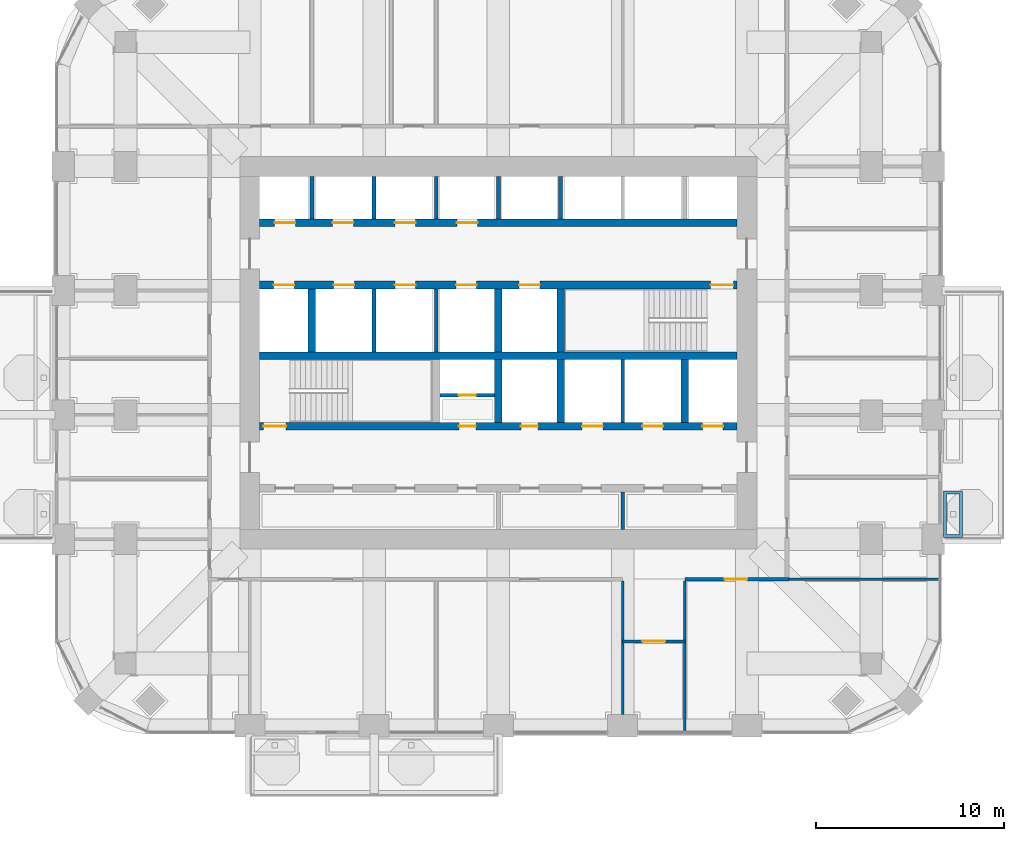
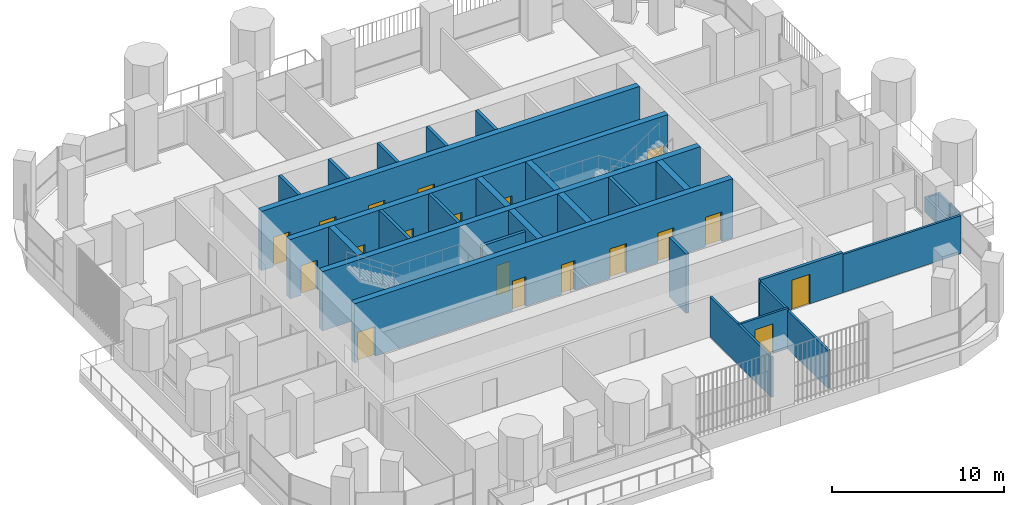
# One storey, part 13 of 20: 26 walls, 19 doors, 19 openings.
"""IFC4 building model written with IfcOpenShell, lengths in metres."""

from ifc_helpers import new_model, si_unit, direction, frame, frame_2d, origin, place, context, subcontext, project, spatial, polyline, rectangle, outline, extrude, material, layer, layer_set, type_object, element, fill, save


model = new_model("IFC4")

# Units and contexts
model_context = context("Model", 3, precision=1e-05, world=origin(), true_north=direction((0.0, 1.0)))
body_context = subcontext(model_context, "Body", "Model", "MODEL_VIEW")
ifc_project = project(units=[si_unit("LENGTHUNIT", "METRE"), si_unit("AREAUNIT", "SQUARE_METRE"), si_unit("VOLUMEUNIT", "CUBIC_METRE"), si_unit("PLANEANGLEUNIT", "RADIAN"), si_unit("MASSUNIT", "GRAM", prefix="KILO")], contexts=[model_context])

# Site, building, storey
site_placement = place(None, origin())
site = spatial("IfcSite", under=ifc_project, at=site_placement, CompositionType="ELEMENT")
building_placement = place(site_placement, origin())
building = spatial("IfcBuilding", under=site, at=building_placement, Name="Cobogo Forest Laboratory Tower", CompositionType="ELEMENT")
storey_placement = place(building_placement, frame((0.0, 0.0, 176.699951171875)))
storey = spatial("IfcBuildingStorey", under=building, at=storey_placement, Name="L40", CompositionType="ELEMENT", Elevation=176.699951171875)

# Wall, openings, doors
ifc_material_1 = material(Name="Concrete HA-50 (C50/60)", Category="concrete")
ifc_layer_1 = layer(ifc_material_1, 0.39990234375)
ifc_layer_set_1 = layer_set([ifc_layer_1], Name="CI400 core inner wall 400")
wall_type_1 = type_object("IfcWallType", Name="CI400 core inner wall 400", PredefinedType="SHEAR", material=ifc_layer_set_1)
wall_1_placement = place(storey_placement, frame((13.72509765625, 19.199951171875, 0.0), z_axis=(0.0, 0.0, 1.0), x_axis=(1.0, 0.0, 0.0)))
wall_1 = element("IfcWall", 1, at=wall_1_placement, inside=storey, type_object=wall_type_1, Name="Core wall CI-19.2 L40", PredefinedType="SHEAR", context=body_context, shape_type="SweptSolid", body=[
    extrude(rectangle(XDim=25.349853515625, YDim=0.39990234375, at=frame_2d((12.6748046875, 0.0))), origin(), (0.0, 0.0, 1.0), 4.199951171875),
])
opening_1_placement = place(wall_1_placement, frame((10.574951171875, 0.0, 0.0)))
opening_1 = element("IfcOpeningElement", 2, at=opening_1_placement, cuts=wall_1, Name="Opening L40-D25", PredefinedType="OPENING", context=body_context, shape_type="SweptSolid", body=[
    extrude(rectangle(XDim=0.89990234375, YDim=2.10009765625, at=frame_2d((0.449951171875, 1.050048828125))), frame((0.0, 0.2099609375, 0.0), z_axis=(0.0, -1.0, 0.0), x_axis=(1.0, 0.0, 0.0)), (0.0, 0.0, 1.0), 0.419921875),
])
opening_2_placement = place(wall_1_placement, frame((13.875, 0.0, 0.0)))
opening_2 = element("IfcOpeningElement", 3, at=opening_2_placement, cuts=wall_1, Name="Opening L40-D26", PredefinedType="OPENING", context=body_context, shape_type="SweptSolid", body=[
    extrude(rectangle(XDim=0.89990234375, YDim=2.10009765625, at=frame_2d((0.449951171875, 1.050048828125))), frame((0.0, 0.2099609375, 0.0), z_axis=(0.0, -1.0, 0.0), x_axis=(1.0, 0.0, 0.0)), (0.0, 0.0, 1.0), 0.419921875),
])
opening_3_placement = place(wall_1_placement, frame((0.199951171875, 0.0, 0.0)))
opening_3 = element("IfcOpeningElement", 4, at=opening_3_placement, cuts=wall_1, Name="Opening L40-D24", PredefinedType="OPENING", context=body_context, shape_type="SweptSolid", body=[
    extrude(rectangle(XDim=1.199951171875, YDim=2.10009765625, at=frame_2d((0.60009765625, 1.050048828125))), frame((0.0, 0.2099609375, 0.0), z_axis=(0.0, -1.0, 0.0), x_axis=(1.0, 0.0, 0.0)), (0.0, 0.0, 1.0), 0.419921875),
])
opening_4_placement = place(wall_1_placement, frame((23.512451171875, 0.0, 0.0)))
opening_4 = element("IfcOpeningElement", 5, at=opening_4_placement, cuts=wall_1, Name="Opening L40-LD-FL2", PredefinedType="OPENING", context=body_context, shape_type="SweptSolid", body=[
    extrude(rectangle(XDim=1.10009765625, YDim=2.10009765625, at=frame_2d((0.550048828125, 1.050048828125))), frame((0.0, 0.2099609375, 0.0), z_axis=(0.0, -1.0, 0.0), x_axis=(1.0, 0.0, 0.0)), (0.0, 0.0, 1.0), 0.419921875),
])
opening_5_placement = place(wall_1_placement, frame((17.125, 0.0, 0.0)))
opening_5 = element("IfcOpeningElement", 6, at=opening_5_placement, cuts=wall_1, Name="Opening L40-LD-LS1", PredefinedType="OPENING", context=body_context, shape_type="SweptSolid", body=[
    extrude(rectangle(XDim=1.10009765625, YDim=2.10009765625, at=frame_2d((0.550048828125, 1.050048828125))), frame((0.0, 0.2099609375, 0.0), z_axis=(0.0, -1.0, 0.0), x_axis=(1.0, 0.0, 0.0)), (0.0, 0.0, 1.0), 0.419921875),
])
opening_6_placement = place(wall_1_placement, frame((20.324951171875, 0.0, 0.0)))
opening_6 = element("IfcOpeningElement", 7, at=opening_6_placement, cuts=wall_1, Name="Opening L40-LD-LS2", PredefinedType="OPENING", context=body_context, shape_type="SweptSolid", body=[
    extrude(rectangle(XDim=1.10009765625, YDim=2.10009765625, at=frame_2d((0.550048828125, 1.050048828125))), frame((0.0, 0.2099609375, 0.0), z_axis=(0.0, -1.0, 0.0), x_axis=(1.0, 0.0, 0.0)), (0.0, 0.0, 1.0), 0.419921875),
])
ifc_material_2 = material(Name="Steel fire door", Category="steel")
door_type_1 = type_object("IfcDoorType", Name="DS1 protected stair door 1200 EI2 60", OperationType="SINGLE_SWING_LEFT", PredefinedType="DOOR", material=ifc_material_2)
door_1_placement = place(opening_3_placement, origin())
door_1 = element("IfcDoor", 8, at=door_1_placement, inside=storey, type_object=door_type_1, Name="Door L40-ST1", OperationType="SINGLE_SWING_LEFT", OverallHeight=2.10009765625, OverallWidth=1.199951171875, PredefinedType="DOOR", context=body_context, shape_type="SweptSolid", body=[
    extrude(rectangle(XDim=1.199951171875, YDim=2.10009765625, at=frame_2d((0.60009765625, 1.050048828125))), frame((0.0, 0.02490234375, 0.0), z_axis=(0.0, -1.0, 0.0), x_axis=(1.0, 0.0, 0.0)), (0.0, 0.0, 1.0), 0.050048828125),
])
fill(opening_3, door_1)
door_type_2 = type_object("IfcDoorType", Name="FD4 riser access door 900 EI2 60", OperationType="SINGLE_SWING_LEFT", PredefinedType="DOOR", material=ifc_material_2)
door_2_placement = place(opening_1_placement, origin())
door_2 = element("IfcDoor", 9, at=door_2_placement, inside=storey, type_object=door_type_2, Name="Door L40-R1V", OperationType="SINGLE_SWING_LEFT", OverallHeight=2.10009765625, OverallWidth=0.89990234375, PredefinedType="DOOR", context=body_context, shape_type="SweptSolid", body=[
    extrude(rectangle(XDim=0.89990234375, YDim=2.10009765625, at=frame_2d((0.449951171875, 1.050048828125))), frame((0.0, 0.02490234375, 0.0), z_axis=(0.0, -1.0, 0.0), x_axis=(1.0, 0.0, 0.0)), (0.0, 0.0, 1.0), 0.050048828125),
])
fill(opening_1, door_2)
door_3_placement = place(opening_2_placement, origin())
door_3 = element("IfcDoor", 10, at=door_3_placement, inside=storey, type_object=door_type_2, Name="Door L40-R2", OperationType="SINGLE_SWING_RIGHT", OverallHeight=2.10009765625, OverallWidth=0.89990234375, PredefinedType="DOOR", context=body_context, shape_type="SweptSolid", body=[
    extrude(rectangle(XDim=0.89990234375, YDim=2.10009765625, at=frame_2d((0.449951171875, 1.050048828125))), frame((0.0, 0.02490234375, 0.0), z_axis=(0.0, -1.0, 0.0), x_axis=(1.0, 0.0, 0.0)), (0.0, 0.0, 1.0), 0.050048828125),
])
fill(opening_2, door_3)
ifc_material_3 = material(Name="Stainless steel lift door", Category="steel")
door_type_3 = type_object("IfcDoorType", Name="LD lift landing door 1100", OperationType="DOUBLE_DOOR_SLIDING", PredefinedType="DOOR", material=ifc_material_3)
door_4_placement = place(opening_4_placement, origin())
door_4 = element("IfcDoor", 11, at=door_4_placement, inside=storey, type_object=door_type_3, Name="Lift landing door FL2 L40", OperationType="DOUBLE_DOOR_SLIDING", OverallHeight=2.10009765625, OverallWidth=1.10009765625, PredefinedType="DOOR", context=body_context, shape_type="SweptSolid", body=[
    extrude(rectangle(XDim=1.10009765625, YDim=2.10009765625, at=frame_2d((0.550048828125, 1.050048828125))), frame((0.0, 0.02490234375, 0.0), z_axis=(0.0, -1.0, 0.0), x_axis=(1.0, 0.0, 0.0)), (0.0, 0.0, 1.0), 0.050048828125),
])
fill(opening_4, door_4)
door_5_placement = place(opening_5_placement, origin())
door_5 = element("IfcDoor", 12, at=door_5_placement, inside=storey, type_object=door_type_3, Name="Lift landing door LS1 L40", OperationType="DOUBLE_DOOR_SLIDING", OverallHeight=2.10009765625, OverallWidth=1.10009765625, PredefinedType="DOOR", context=body_context, shape_type="SweptSolid", body=[
    extrude(rectangle(XDim=1.10009765625, YDim=2.10009765625, at=frame_2d((0.550048828125, 1.050048828125))), frame((0.0, 0.02490234375, 0.0), z_axis=(0.0, -1.0, 0.0), x_axis=(1.0, 0.0, 0.0)), (0.0, 0.0, 1.0), 0.050048828125),
])
fill(opening_5, door_5)
door_6_placement = place(opening_6_placement, origin())
door_6 = element("IfcDoor", 13, at=door_6_placement, inside=storey, type_object=door_type_3, Name="Lift landing door LS2 L40", OperationType="DOUBLE_DOOR_SLIDING", OverallHeight=2.10009765625, OverallWidth=1.10009765625, PredefinedType="DOOR", context=body_context, shape_type="SweptSolid", body=[
    extrude(rectangle(XDim=1.10009765625, YDim=2.10009765625, at=frame_2d((0.550048828125, 1.050048828125))), frame((0.0, 0.02490234375, 0.0), z_axis=(0.0, -1.0, 0.0), x_axis=(1.0, 0.0, 0.0)), (0.0, 0.0, 1.0), 0.050048828125),
])
fill(opening_6, door_6)

# Wall
wall_2_placement = place(storey_placement, frame((13.72509765625, 22.949951171875, 0.0), z_axis=(0.0, 0.0, 1.0), x_axis=(1.0, 0.0, 0.0)))
element("IfcWall", 14, at=wall_2_placement, inside=storey, type_object=wall_type_1, Name="Core wall CI-22.95 L40", PredefinedType="SHEAR", context=body_context, shape_type="SweptSolid", body=[
    extrude(rectangle(XDim=25.349853515625, YDim=0.39990234375, at=frame_2d((12.6748046875, 0.0))), origin(), (0.0, 0.0, 1.0), 4.199951171875),
])

# Wall, openings, doors
wall_3_placement = place(storey_placement, frame((13.72509765625, 26.699951171875, 0.0), z_axis=(0.0, 0.0, 1.0), x_axis=(1.0, 0.0, 0.0)))
wall_3 = element("IfcWall", 15, at=wall_3_placement, inside=storey, type_object=wall_type_1, Name="Core wall CI-26.7 L40", PredefinedType="SHEAR", context=body_context, shape_type="SweptSolid", body=[
    extrude(rectangle(XDim=25.349853515625, YDim=0.39990234375, at=frame_2d((12.6748046875, 0.0))), origin(), (0.0, 0.0, 1.0), 4.199951171875),
])
opening_7_placement = place(wall_3_placement, frame((23.949951171875, 0.0, 0.0)))
opening_7 = element("IfcOpeningElement", 16, at=opening_7_placement, cuts=wall_3, Name="Opening L40-D32", PredefinedType="OPENING", context=body_context, shape_type="SweptSolid", body=[
    extrude(rectangle(XDim=1.199951171875, YDim=2.10009765625, at=frame_2d((0.60009765625, 1.050048828125))), frame((0.0, 0.2099609375, 0.0), z_axis=(0.0, -1.0, 0.0), x_axis=(1.0, 0.0, 0.0)), (0.0, 0.0, 1.0), 0.419921875),
])
opening_8_placement = place(wall_3_placement, frame((0.737548828125, 0.0, 0.0)))
opening_8 = element("IfcOpeningElement", 17, at=opening_8_placement, cuts=wall_3, Name="Opening L40-LD-FL1", PredefinedType="OPENING", context=body_context, shape_type="SweptSolid", body=[
    extrude(rectangle(XDim=1.10009765625, YDim=2.10009765625, at=frame_2d((0.550048828125, 1.050048828125))), frame((0.0, 0.2099609375, 0.0), z_axis=(0.0, -1.0, 0.0), x_axis=(1.0, 0.0, 0.0)), (0.0, 0.0, 1.0), 0.419921875),
])
opening_9_placement = place(wall_3_placement, frame((3.925048828125, 0.0, 0.0)))
opening_9 = element("IfcOpeningElement", 18, at=opening_9_placement, cuts=wall_3, Name="Opening L40-LD-LS3", PredefinedType="OPENING", context=body_context, shape_type="SweptSolid", body=[
    extrude(rectangle(XDim=1.10009765625, YDim=2.10009765625, at=frame_2d((0.550048828125, 1.050048828125))), frame((0.0, 0.2099609375, 0.0), z_axis=(0.0, -1.0, 0.0), x_axis=(1.0, 0.0, 0.0)), (0.0, 0.0, 1.0), 0.419921875),
])
opening_10_placement = place(wall_3_placement, frame((7.175048828125, 0.0, 0.0)))
opening_10 = element("IfcOpeningElement", 19, at=opening_10_placement, cuts=wall_3, Name="Opening L40-LD-LS4", PredefinedType="OPENING", context=body_context, shape_type="SweptSolid", body=[
    extrude(rectangle(XDim=1.10009765625, YDim=2.10009765625, at=frame_2d((0.550048828125, 1.050048828125))), frame((0.0, 0.2099609375, 0.0), z_axis=(0.0, -1.0, 0.0), x_axis=(1.0, 0.0, 0.0)), (0.0, 0.0, 1.0), 0.419921875),
])
opening_11_placement = place(wall_3_placement, frame((10.425048828125, 0.0, 0.0)))
opening_11 = element("IfcOpeningElement", 20, at=opening_11_placement, cuts=wall_3, Name="Opening L40-LD-LS5", PredefinedType="OPENING", context=body_context, shape_type="SweptSolid", body=[
    extrude(rectangle(XDim=1.10009765625, YDim=2.10009765625, at=frame_2d((0.550048828125, 1.050048828125))), frame((0.0, 0.2099609375, 0.0), z_axis=(0.0, -1.0, 0.0), x_axis=(1.0, 0.0, 0.0)), (0.0, 0.0, 1.0), 0.419921875),
])
opening_12_placement = place(wall_3_placement, frame((13.77490234375, 0.0, 0.0)))
opening_12 = element("IfcOpeningElement", 21, at=opening_12_placement, cuts=wall_3, Name="Opening L40-LD-LS6", PredefinedType="OPENING", context=body_context, shape_type="SweptSolid", body=[
    extrude(rectangle(XDim=1.10009765625, YDim=2.10009765625, at=frame_2d((0.550048828125, 1.050048828125))), frame((0.0, 0.2099609375, 0.0), z_axis=(0.0, -1.0, 0.0), x_axis=(1.0, 0.0, 0.0)), (0.0, 0.0, 1.0), 0.419921875),
])
door_7_placement = place(opening_7_placement, origin())
door_7 = element("IfcDoor", 22, at=door_7_placement, inside=storey, type_object=door_type_1, Name="Door L40-ST2", OperationType="SINGLE_SWING_RIGHT", OverallHeight=2.10009765625, OverallWidth=1.199951171875, PredefinedType="DOOR", context=body_context, shape_type="SweptSolid", body=[
    extrude(rectangle(XDim=1.199951171875, YDim=2.10009765625, at=frame_2d((0.60009765625, 1.050048828125))), frame((0.0, 0.02490234375, 0.0), z_axis=(0.0, -1.0, 0.0), x_axis=(1.0, 0.0, 0.0)), (0.0, 0.0, 1.0), 0.050048828125),
])
fill(opening_7, door_7)
door_8_placement = place(opening_8_placement, origin())
door_8 = element("IfcDoor", 23, at=door_8_placement, inside=storey, type_object=door_type_3, Name="Lift landing door FL1 L40", OperationType="DOUBLE_DOOR_SLIDING", OverallHeight=2.10009765625, OverallWidth=1.10009765625, PredefinedType="DOOR", context=body_context, shape_type="SweptSolid", body=[
    extrude(rectangle(XDim=1.10009765625, YDim=2.10009765625, at=frame_2d((0.550048828125, 1.050048828125))), frame((0.0, 0.02490234375, 0.0), z_axis=(0.0, -1.0, 0.0), x_axis=(1.0, 0.0, 0.0)), (0.0, 0.0, 1.0), 0.050048828125),
])
fill(opening_8, door_8)
door_9_placement = place(opening_9_placement, origin())
door_9 = element("IfcDoor", 24, at=door_9_placement, inside=storey, type_object=door_type_3, Name="Lift landing door LS3 L40", OperationType="DOUBLE_DOOR_SLIDING", OverallHeight=2.10009765625, OverallWidth=1.10009765625, PredefinedType="DOOR", context=body_context, shape_type="SweptSolid", body=[
    extrude(rectangle(XDim=1.10009765625, YDim=2.10009765625, at=frame_2d((0.550048828125, 1.050048828125))), frame((0.0, 0.02490234375, 0.0), z_axis=(0.0, -1.0, 0.0), x_axis=(1.0, 0.0, 0.0)), (0.0, 0.0, 1.0), 0.050048828125),
])
fill(opening_9, door_9)
door_10_placement = place(opening_10_placement, origin())
door_10 = element("IfcDoor", 25, at=door_10_placement, inside=storey, type_object=door_type_3, Name="Lift landing door LS4 L40", OperationType="DOUBLE_DOOR_SLIDING", OverallHeight=2.10009765625, OverallWidth=1.10009765625, PredefinedType="DOOR", context=body_context, shape_type="SweptSolid", body=[
    extrude(rectangle(XDim=1.10009765625, YDim=2.10009765625, at=frame_2d((0.550048828125, 1.050048828125))), frame((0.0, 0.02490234375, 0.0), z_axis=(0.0, -1.0, 0.0), x_axis=(1.0, 0.0, 0.0)), (0.0, 0.0, 1.0), 0.050048828125),
])
fill(opening_10, door_10)
door_11_placement = place(opening_11_placement, origin())
door_11 = element("IfcDoor", 26, at=door_11_placement, inside=storey, type_object=door_type_3, Name="Lift landing door LS5 L40", OperationType="DOUBLE_DOOR_SLIDING", OverallHeight=2.10009765625, OverallWidth=1.10009765625, PredefinedType="DOOR", context=body_context, shape_type="SweptSolid", body=[
    extrude(rectangle(XDim=1.10009765625, YDim=2.10009765625, at=frame_2d((0.550048828125, 1.050048828125))), frame((0.0, 0.02490234375, 0.0), z_axis=(0.0, -1.0, 0.0), x_axis=(1.0, 0.0, 0.0)), (0.0, 0.0, 1.0), 0.050048828125),
])
fill(opening_11, door_11)
door_12_placement = place(opening_12_placement, origin())
door_12 = element("IfcDoor", 27, at=door_12_placement, inside=storey, type_object=door_type_3, Name="Lift landing door LS6 L40", OperationType="DOUBLE_DOOR_SLIDING", OverallHeight=2.10009765625, OverallWidth=1.10009765625, PredefinedType="DOOR", context=body_context, shape_type="SweptSolid", body=[
    extrude(rectangle(XDim=1.10009765625, YDim=2.10009765625, at=frame_2d((0.550048828125, 1.050048828125))), frame((0.0, 0.02490234375, 0.0), z_axis=(0.0, -1.0, 0.0), x_axis=(1.0, 0.0, 0.0)), (0.0, 0.0, 1.0), 0.050048828125),
])
fill(opening_12, door_12)

wall_4_placement = place(storey_placement, frame((13.72509765625, 30.0, 0.0), z_axis=(0.0, 0.0, 1.0), x_axis=(1.0, 0.0, 0.0)))
wall_4 = element("IfcWall", 28, at=wall_4_placement, inside=storey, type_object=wall_type_1, Name="Core wall CI-30.0 L40", PredefinedType="SHEAR", context=body_context, shape_type="SweptSolid", body=[
    extrude(rectangle(XDim=25.349853515625, YDim=0.39990234375, at=frame_2d((12.6748046875, 0.0))), origin(), (0.0, 0.0, 1.0), 4.199951171875),
])
opening_13_placement = place(wall_4_placement, frame((0.78759765625, 0.0, 0.0)))
opening_13 = element("IfcOpeningElement", 29, at=opening_13_placement, cuts=wall_4, Name="Opening L40-LD-LC1", PredefinedType="OPENING", context=body_context, shape_type="SweptSolid", body=[
    extrude(rectangle(XDim=1.10009765625, YDim=2.10009765625, at=frame_2d((0.550048828125, 1.050048828125))), frame((0.0, 0.2099609375, 0.0), z_axis=(0.0, -1.0, 0.0), x_axis=(1.0, 0.0, 0.0)), (0.0, 0.0, 1.0), 0.419921875),
])
opening_14_placement = place(wall_4_placement, frame((3.875, 0.0, 0.0)))
opening_14 = element("IfcOpeningElement", 30, at=opening_14_placement, cuts=wall_4, Name="Opening L40-LD-LC2", PredefinedType="OPENING", context=body_context, shape_type="SweptSolid", body=[
    extrude(rectangle(XDim=1.10009765625, YDim=2.10009765625, at=frame_2d((0.550048828125, 1.050048828125))), frame((0.0, 0.2099609375, 0.0), z_axis=(0.0, -1.0, 0.0), x_axis=(1.0, 0.0, 0.0)), (0.0, 0.0, 1.0), 0.419921875),
])
opening_15_placement = place(wall_4_placement, frame((7.175048828125, 0.0, 0.0)))
opening_15 = element("IfcOpeningElement", 31, at=opening_15_placement, cuts=wall_4, Name="Opening L40-LD-LC3", PredefinedType="OPENING", context=body_context, shape_type="SweptSolid", body=[
    extrude(rectangle(XDim=1.10009765625, YDim=2.10009765625, at=frame_2d((0.550048828125, 1.050048828125))), frame((0.0, 0.2099609375, 0.0), z_axis=(0.0, -1.0, 0.0), x_axis=(1.0, 0.0, 0.0)), (0.0, 0.0, 1.0), 0.419921875),
])
opening_16_placement = place(wall_4_placement, frame((10.47509765625, 0.0, 0.0)))
opening_16 = element("IfcOpeningElement", 32, at=opening_16_placement, cuts=wall_4, Name="Opening L40-LD-LC4", PredefinedType="OPENING", context=body_context, shape_type="SweptSolid", body=[
    extrude(rectangle(XDim=1.10009765625, YDim=2.10009765625, at=frame_2d((0.550048828125, 1.050048828125))), frame((0.0, 0.2099609375, 0.0), z_axis=(0.0, -1.0, 0.0), x_axis=(1.0, 0.0, 0.0)), (0.0, 0.0, 1.0), 0.419921875),
])
door_13_placement = place(opening_13_placement, origin())
door_13 = element("IfcDoor", 33, at=door_13_placement, inside=storey, type_object=door_type_3, Name="Lift landing door LC1 L40", OperationType="DOUBLE_DOOR_SLIDING", OverallHeight=2.10009765625, OverallWidth=1.10009765625, PredefinedType="DOOR", context=body_context, shape_type="SweptSolid", body=[
    extrude(rectangle(XDim=1.10009765625, YDim=2.10009765625, at=frame_2d((0.550048828125, 1.050048828125))), frame((0.0, 0.02490234375, 0.0), z_axis=(0.0, -1.0, 0.0), x_axis=(1.0, 0.0, 0.0)), (0.0, 0.0, 1.0), 0.050048828125),
])
fill(opening_13, door_13)
door_14_placement = place(opening_14_placement, origin())
door_14 = element("IfcDoor", 34, at=door_14_placement, inside=storey, type_object=door_type_3, Name="Lift landing door LC2 L40", OperationType="DOUBLE_DOOR_SLIDING", OverallHeight=2.10009765625, OverallWidth=1.10009765625, PredefinedType="DOOR", context=body_context, shape_type="SweptSolid", body=[
    extrude(rectangle(XDim=1.10009765625, YDim=2.10009765625, at=frame_2d((0.550048828125, 1.050048828125))), frame((0.0, 0.02490234375, 0.0), z_axis=(0.0, -1.0, 0.0), x_axis=(1.0, 0.0, 0.0)), (0.0, 0.0, 1.0), 0.050048828125),
])
fill(opening_14, door_14)
door_15_placement = place(opening_15_placement, origin())
door_15 = element("IfcDoor", 35, at=door_15_placement, inside=storey, type_object=door_type_3, Name="Lift landing door LC3 L40", OperationType="DOUBLE_DOOR_SLIDING", OverallHeight=2.10009765625, OverallWidth=1.10009765625, PredefinedType="DOOR", context=body_context, shape_type="SweptSolid", body=[
    extrude(rectangle(XDim=1.10009765625, YDim=2.10009765625, at=frame_2d((0.550048828125, 1.050048828125))), frame((0.0, 0.02490234375, 0.0), z_axis=(0.0, -1.0, 0.0), x_axis=(1.0, 0.0, 0.0)), (0.0, 0.0, 1.0), 0.050048828125),
])
fill(opening_15, door_15)
door_16_placement = place(opening_16_placement, origin())
door_16 = element("IfcDoor", 36, at=door_16_placement, inside=storey, type_object=door_type_3, Name="Lift landing door LC4 L40", OperationType="DOUBLE_DOOR_SLIDING", OverallHeight=2.10009765625, OverallWidth=1.10009765625, PredefinedType="DOOR", context=body_context, shape_type="SweptSolid", body=[
    extrude(rectangle(XDim=1.10009765625, YDim=2.10009765625, at=frame_2d((0.550048828125, 1.050048828125))), frame((0.0, 0.02490234375, 0.0), z_axis=(0.0, -1.0, 0.0), x_axis=(1.0, 0.0, 0.0)), (0.0, 0.0, 1.0), 0.050048828125),
])
fill(opening_16, door_16)

# Walls
for number, where, z_axis, x_axis, name in (
    (37, (26.39990234375, 19.39990234375, 0.0), (0.0, 0.0, 1.0), (0.0, 1.0, 0.0), "Core wall CX-26.4S L40"),
    (38, (29.699951171875, 19.39990234375, 0.0), (0.0, 0.0, 1.0), (0.0, 1.0, 0.0), "Core wall CX-29.7S L40"),
    (39, (36.300048828125, 19.39990234375, 0.0), (0.0, 0.0, 1.0), (0.0, 1.0, 0.0), "Core wall CX-36.3 L40"),
    (40, (16.5, 23.14990234375, 0.0), (0.0, 0.0, 1.0), (0.0, 1.0, 0.0), "Core wall CX-16.5 L40"),
    (41, (26.39990234375, 23.14990234375, 0.0), (0.0, 0.0, 1.0), (0.0, 1.0, 0.0), "Core wall CX-26.4N L40"),
    (42, (29.699951171875, 23.14990234375, 0.0), (0.0, 0.0, 1.0), (0.0, 1.0, 0.0), "Core wall CX-29.7N L40"),
):
    element("IfcWall", number, at=place(storey_placement, frame(where, z_axis=z_axis, x_axis=x_axis)), inside=storey, type_object=wall_type_1, Name=name, PredefinedType="SHEAR", context=body_context, shape_type="SweptSolid", body=[
        extrude(rectangle(XDim=3.35009765625, YDim=0.39990234375, at=frame_2d((1.675048828125, 0.0))), origin(), (0.0, 0.0, 1.0), 4.199951171875),
    ])
ifc_material_4 = material(Name="Gypsum board on steel studs", Category="steel")
ifc_layer_2 = layer(ifc_material_4, 0.14990234375)
ifc_layer_set_2 = layer_set([ifc_layer_2], Name="PT1 laboratory partition 150")
wall_type_2 = type_object("IfcWallType", Name="PT1 laboratory partition 150", PredefinedType="PARTITIONING", material=ifc_layer_set_2)
wall_5_placement = place(storey_placement, frame((49.77001953125, 11.074951171875, 0.0), z_axis=(0.0, 0.0, 1.0), x_axis=(-1.0, 0.0, 0.0)))
element("IfcWall", 43, at=wall_5_placement, inside=storey, type_object=wall_type_2, Name="Partition PW-SE L40", PredefinedType="PARTITIONING", context=body_context, shape_type="SweptSolid", body=[
    extrude(rectangle(XDim=7.945068359375, YDim=0.14990234375, at=frame_2d((3.97265625, 0.0))), origin(), (0.0, 0.0, 1.0), 2.699951171875),
])

# Wall, opening, door
wall_6_placement = place(storey_placement, frame((33.0, 7.77490234375, 0.0), z_axis=(0.0, 0.0, 1.0), x_axis=(1.0, 0.0, 0.0)))
wall_6 = element("IfcWall", 44, at=wall_6_placement, inside=storey, type_object=wall_type_2, Name="Partition NODE-S-1 L40", PredefinedType="PARTITIONING", context=body_context, shape_type="SweptSolid", body=[
    extrude(rectangle(XDim=3.300048828125, YDim=0.14990234375, at=frame_2d((1.64990234375, 0.0))), origin(), (0.0, 0.0, 1.0), 2.85009765625),
])
opening_17_placement = place(wall_6_placement, frame((1.050048828125, 0.0, 0.0)))
opening_17 = element("IfcOpeningElement", 45, at=opening_17_placement, cuts=wall_6, Name="Opening L40-D02", PredefinedType="OPENING", context=body_context, shape_type="SweptSolid", body=[
    extrude(rectangle(XDim=1.199951171875, YDim=2.10009765625, at=frame_2d((0.60009765625, 1.050048828125))), frame((0.0, 0.0849609375, 0.0), z_axis=(0.0, -1.0, 0.0), x_axis=(1.0, 0.0, 0.0)), (0.0, 0.0, 1.0), 0.169921875),
])
ifc_material_5 = material(Name="Timber door", Category="wood")
door_type_4 = type_object("IfcDoorType", Name="D2 laboratory door 1200 unequal pair", OperationType="DOUBLE_DOOR_SINGLE_SWING", PredefinedType="DOOR", material=ifc_material_5)
door_17_placement = place(opening_17_placement, origin())
door_17 = element("IfcDoor", 46, at=door_17_placement, inside=storey, type_object=door_type_4, Name="Door L40-S4", OperationType="DOUBLE_DOOR_SINGLE_SWING", OverallHeight=2.10009765625, OverallWidth=1.199951171875, PredefinedType="DOOR", context=body_context, shape_type="SweptSolid", body=[
    extrude(rectangle(XDim=1.199951171875, YDim=2.10009765625, at=frame_2d((0.60009765625, 1.050048828125))), frame((0.0, 0.02490234375, 0.0), z_axis=(0.0, -1.0, 0.0), x_axis=(1.0, 0.0, 0.0)), (0.0, 0.0, 1.0), 0.050048828125),
])
fill(opening_17, door_17)

# Walls
wall_7_placement = place(storey_placement, frame((33.0, 3.89990234375, 0.0), z_axis=(0.0, 0.0, 1.0), x_axis=(0.0, 1.0, 0.0)))
element("IfcWall", 47, at=wall_7_placement, inside=storey, type_object=wall_type_2, Name="Partition CUT-S33-1 L40", PredefinedType="PARTITIONING", context=body_context, shape_type="SweptSolid", body=[
    extrude(rectangle(XDim=7.0751953125, YDim=0.14990234375, at=frame_2d((3.53759765625, 0.0))), origin(), (0.0, 0.0, 1.0), 2.85009765625),
])
wall_8_placement = place(storey_placement, frame((36.300048828125, 3.030029296875, 0.0), z_axis=(0.0, 0.0, 1.0), x_axis=(0.0, 1.0, 0.0)))
element("IfcWall", 48, at=wall_8_placement, inside=storey, type_object=wall_type_2, Name="Partition CUT-S36.3-1 L40", PredefinedType="PARTITIONING", context=body_context, shape_type="SweptSolid", body=[
    extrude(rectangle(XDim=7.945068359375, YDim=0.14990234375, at=frame_2d((3.97265625, 0.0))), origin(), (0.0, 0.0, 1.0), 2.699951171875),
])

# Wall, opening, door
ifc_layer_3 = layer(ifc_material_4, 0.199951171875)
ifc_layer_set_3 = layer_set([ifc_layer_3], Name="PT2 fire-rated corridor partition 200")
wall_type_3 = type_object("IfcWallType", Name="PT2 fire-rated corridor partition 200", PredefinedType="PARTITIONING", material=ifc_layer_set_3)
wall_9_placement = place(storey_placement, frame((36.300048828125, 11.074951171875, 0.0), z_axis=(0.0, 0.0, 1.0), x_axis=(1.0, 0.0, 0.0)))
wall_9 = element("IfcWall", 49, at=wall_9_placement, inside=storey, type_object=wall_type_3, Name="Partition CORR-S-2 L40", PredefinedType="PARTITIONING", context=body_context, shape_type="SweptSolid", body=[
    extrude(rectangle(XDim=5.52490234375, YDim=0.199951171875, at=frame_2d((2.762451171875, 0.0))), origin(), (0.0, 0.0, 1.0), 2.85009765625),
])
opening_18_placement = place(wall_9_placement, frame((2.112548828125, 0.0, 0.0)))
opening_18 = element("IfcOpeningElement", 50, at=opening_18_placement, cuts=wall_9, Name="Opening L40-D06", PredefinedType="OPENING", context=body_context, shape_type="SweptSolid", body=[
    extrude(rectangle(XDim=1.199951171875, YDim=2.10009765625, at=frame_2d((0.60009765625, 1.050048828125))), frame((0.0, 0.10986328125, 0.0), z_axis=(0.0, -1.0, 0.0), x_axis=(1.0, 0.0, 0.0)), (0.0, 0.0, 1.0), 0.219970703125),
])
door_18_placement = place(opening_18_placement, origin())
door_18 = element("IfcDoor", 51, at=door_18_placement, inside=storey, type_object=door_type_4, Name="Door L40-S5", OperationType="DOUBLE_DOOR_SINGLE_SWING", OverallHeight=2.10009765625, OverallWidth=1.199951171875, PredefinedType="DOOR", context=body_context, shape_type="SweptSolid", body=[
    extrude(rectangle(XDim=1.199951171875, YDim=2.10009765625, at=frame_2d((0.60009765625, 1.050048828125))), frame((0.0, 0.02490234375, 0.0), z_axis=(0.0, -1.0, 0.0), x_axis=(1.0, 0.0, 0.0)), (0.0, 0.0, 1.0), 0.050048828125),
])
fill(opening_18, door_18)

wall_10_placement = place(storey_placement, frame((23.300048828125, 20.85009765625, 0.0), z_axis=(0.0, 0.0, 1.0), x_axis=(1.0, 0.0, 0.0)))
wall_10 = element("IfcWall", 52, at=wall_10_placement, inside=storey, type_object=wall_type_3, Name="Partition RSPLIT-R1 L40", PredefinedType="PARTITIONING", context=body_context, shape_type="SweptSolid", body=[
    extrude(rectangle(XDim=2.89990234375, YDim=0.199951171875, at=frame_2d((1.449951171875, 0.0))), origin(), (0.0, 0.0, 1.0), 3.900146484375),
])
opening_19_placement = place(wall_10_placement, frame((1.0, 0.0, 0.0)))
opening_19 = element("IfcOpeningElement", 53, at=opening_19_placement, cuts=wall_10, Name="Opening L40-D27", PredefinedType="OPENING", context=body_context, shape_type="SweptSolid", body=[
    extrude(rectangle(XDim=0.89990234375, YDim=2.10009765625, at=frame_2d((0.449951171875, 1.050048828125))), frame((0.0, 0.10986328125, 0.0), z_axis=(0.0, -1.0, 0.0), x_axis=(1.0, 0.0, 0.0)), (0.0, 0.0, 1.0), 0.219970703125),
])
door_19_placement = place(opening_19_placement, origin())
door_19 = element("IfcDoor", 54, at=door_19_placement, inside=storey, type_object=door_type_2, Name="Door L40-R1", OperationType="SINGLE_SWING_RIGHT", OverallHeight=2.10009765625, OverallWidth=0.89990234375, PredefinedType="DOOR", context=body_context, shape_type="SweptSolid", body=[
    extrude(rectangle(XDim=0.89990234375, YDim=2.10009765625, at=frame_2d((0.449951171875, 1.050048828125))), frame((0.0, 0.02490234375, 0.0), z_axis=(0.0, -1.0, 0.0), x_axis=(1.0, 0.0, 0.0)), (0.0, 0.0, 1.0), 0.050048828125),
])
fill(opening_19, door_19)

# Walls
ifc_material_6 = material(Name="Concrete HA-40 (C40/50)", Category="concrete")
ifc_layer_4 = layer(ifc_material_6, 0.14990234375)
ifc_layer_set_4 = layer_set([ifc_layer_4], Name="Planter box 1000x1050")
wall_type_4 = type_object("IfcWallType", Name="Planter box 1000x1050", PredefinedType="USERDEFINED", material=ifc_layer_set_4)
wall_11_placement = place(storey_placement, origin())
element("IfcWall", 55, at=wall_11_placement, inside=storey, type_object=wall_type_4, Name="Planter BAL-E1-1 L40", ObjectType="PLANTER", PredefinedType="USERDEFINED", context=body_context, shape_type="SweptSolid", body=[
    extrude(outline(polyline([(50.050048828125, 13.300048828125), (51.050048828125, 13.300048828125), (51.050048828125, 15.75), (50.050048828125, 15.75), (50.050048828125, 13.300048828125)]), holes=[polyline([(50.199951171875, 13.449951171875), (50.89990234375, 13.449951171875), (50.89990234375, 15.60009765625), (50.199951171875, 15.60009765625), (50.199951171875, 13.449951171875)])]), origin(), (0.0, 0.0, 1.0), 1.050048828125),
])
ifc_material_7 = material(Name="Concrete block", Category="concrete")
ifc_layer_5 = layer(ifc_material_7, 0.199951171875)
ifc_layer_set_5 = layer_set([ifc_layer_5], Name="SW200 lift shaft separator 200")
wall_type_5 = type_object("IfcWallType", Name="SW200 lift shaft separator 200", PredefinedType="PARTITIONING", material=ifc_layer_set_5)
for number, where, z_axis, x_axis, name in (
    (56, (16.5, 30.199951171875, 0.0), (0.0, 0.0, 1.0), (0.0, 1.0, 0.0), "Core wall SEP-N1 L40"),
    (57, (19.800048828125, 30.199951171875, 0.0), (0.0, 0.0, 1.0), (0.0, 1.0, 0.0), "Core wall SEP-N2 L40"),
    (58, (23.10009765625, 30.199951171875, 0.0), (0.0, 0.0, 1.0), (0.0, 1.0, 0.0), "Core wall SEP-N3 L40"),
    (59, (26.39990234375, 30.199951171875, 0.0), (0.0, 0.0, 1.0), (0.0, 1.0, 0.0), "Core wall SEP-N4 L40"),
    (60, (29.699951171875, 30.199951171875, 0.0), (0.0, 0.0, 1.0), (0.0, 1.0, 0.0), "Core wall SEP-N5 L40"),
):
    element("IfcWall", number, at=place(storey_placement, frame(where, z_axis=z_axis, x_axis=x_axis)), inside=storey, type_object=wall_type_5, Name=name, PredefinedType="PARTITIONING", context=body_context, shape_type="SweptSolid", body=[
        extrude(rectangle(XDim=2.275146484375, YDim=0.199951171875, at=frame_2d((1.1376953125, 0.0))), origin(), (0.0, 0.0, 1.0), 4.199951171875),
    ])
wall_12_placement = place(storey_placement, frame((33.0, 13.72509765625, 0.0), z_axis=(0.0, 0.0, 1.0), x_axis=(0.0, 1.0, 0.0)))
element("IfcWall", 61, at=wall_12_placement, inside=storey, type_object=wall_type_5, Name="Core wall SEP-S6 L40", PredefinedType="PARTITIONING", context=body_context, shape_type="SweptSolid", body=[
    extrude(rectangle(XDim=1.974853515625, YDim=0.199951171875, at=frame_2d((0.9873046875, 0.0))), origin(), (0.0, 0.0, 1.0), 4.199951171875),
])
for number, where, z_axis, x_axis, name in (
    (62, (33.0, 19.39990234375, 0.0), (0.0, 0.0, 1.0), (0.0, 1.0, 0.0), "Core wall SEP-M33.0 L40"),
    (63, (19.800048828125, 23.14990234375, 0.0), (0.0, 0.0, 1.0), (0.0, 1.0, 0.0), "Core wall SEP-M19.8 L40"),
    (64, (23.10009765625, 23.14990234375, 0.0), (0.0, 0.0, 1.0), (0.0, 1.0, 0.0), "Core wall SEP-M23.1 L40"),
):
    element("IfcWall", number, at=place(storey_placement, frame(where, z_axis=z_axis, x_axis=x_axis)), inside=storey, type_object=wall_type_5, Name=name, PredefinedType="PARTITIONING", context=body_context, shape_type="SweptSolid", body=[
        extrude(rectangle(XDim=3.35009765625, YDim=0.199951171875, at=frame_2d((1.675048828125, 0.0))), origin(), (0.0, 0.0, 1.0), 4.199951171875),
    ])

save(model, "model.ifc")
